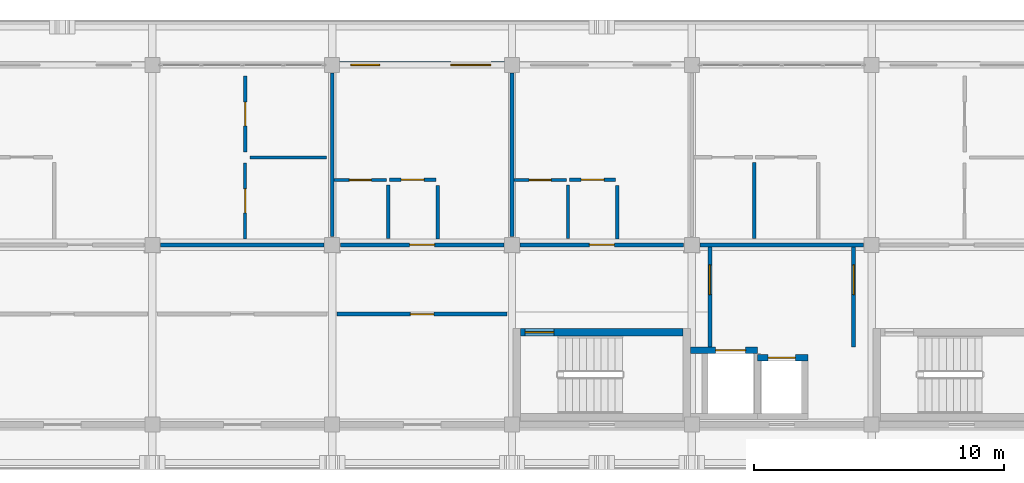
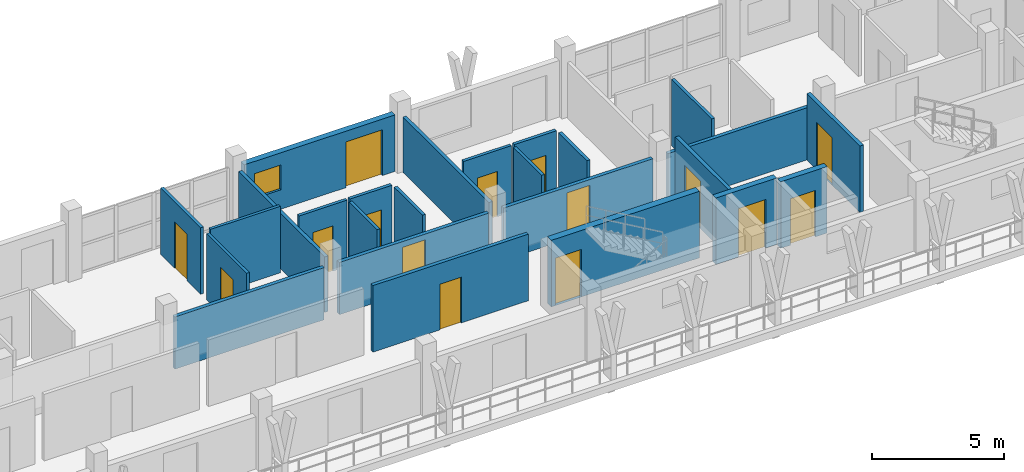
# One storey, part 36 of 60: 25 walls, 15 doors, 1 window, 16 openings.
"""IFC4 building model written with IfcOpenShell, lengths in metres."""

from ifc_helpers import new_model, si_unit, direction, frame, frame_2d, origin, place, context, subcontext, project, spatial, rectangle, extrude, material, layer, layer_set, type_object, element, fill, save


model = new_model("IFC4")

# Units and contexts
model_context = context("Model", 3, precision=1e-05, world=origin(), true_north=direction((0.0, 1.0)))
body_context = subcontext(model_context, "Body", "Model", "MODEL_VIEW")
ifc_project = project(units=[si_unit("LENGTHUNIT", "METRE"), si_unit("AREAUNIT", "SQUARE_METRE"), si_unit("VOLUMEUNIT", "CUBIC_METRE"), si_unit("PLANEANGLEUNIT", "RADIAN"), si_unit("MASSUNIT", "GRAM", prefix="KILO")], contexts=[model_context])

# Site, building, storey
site_placement = place(None, origin())
site = spatial("IfcSite", under=ifc_project, at=site_placement, CompositionType="ELEMENT")
building_placement = place(site_placement, origin())
building = spatial("IfcBuilding", under=site, at=building_placement, Name="Suanplinth Sawtooth Commons", CompositionType="ELEMENT")
storey_placement = place(building_placement, frame((0.0, 0.0, 31.5)))
storey = spatial("IfcBuildingStorey", under=building, at=storey_placement, Name="L09", CompositionType="ELEMENT", Elevation=31.5)

# Wall, opening, door
ifc_material_1 = material(Name="Concrete C40/50", Category="concrete")
ifc_layer_1 = layer(ifc_material_1, 0.300048828125, Name="Standard RC stair and lift core wall 300mm")
ifc_layer_set_1 = layer_set([ifc_layer_1], Name="Concrete C40/50")
wall_type_1 = type_object("IfcWallType", Name="W-CR02", PredefinedType="SHEAR", material=ifc_layer_set_1)
wall_1_placement = place(storey_placement, frame((43.550048828125, 111.699951171875, 0.0), z_axis=(0.0, 0.0, 1.0), x_axis=(1.0, 0.0, 0.0)))
wall_1 = element("IfcWall", 1, at=wall_1_placement, inside=storey, type_object=wall_type_1, Name="W-L09-C-A1-STN", PredefinedType="SHEAR", context=body_context, shape_type="SweptSolid", body=[
    extrude(rectangle(XDim=6.5, YDim=0.300048828125, at=frame_2d((3.25, 0.0))), origin(), (0.0, 0.0, 1.0), 3.080078125),
])
opening_1_placement = place(wall_1_placement, frame((0.179931640625, 0.0, 0.0)))
opening_1 = element("IfcOpeningElement", 2, at=opening_1_placement, cuts=wall_1, Name="Opening FD0051", PredefinedType="OPENING", context=body_context, shape_type="SweptSolid", body=[
    extrude(rectangle(XDim=1.14990234375, YDim=2.199951171875, at=frame_2d((0.574951171875, 1.10009765625))), frame((0.0, 0.1650390625, 0.0), z_axis=(0.0, -1.0, 0.0), x_axis=(1.0, 0.0, 0.0)), (0.0, 0.0, 1.0), 0.329833984375),
])
ifc_material_2 = material(Name="Teak hardwood fire-rated door assembly", Category="wood")
door_type_1 = type_object("IfcDoorType", Name="FD-01", OperationType="NOTDEFINED", PredefinedType="DOOR", material=ifc_material_2)
door_1_placement = place(opening_1_placement, frame((1.14990234375, 0.0, 0.0), z_axis=(0.0, 0.0, 1.0), x_axis=(-1.0, 0.0, 0.0)))
door_1 = element("IfcDoor", 3, at=door_1_placement, inside=storey, type_object=door_type_1, Name="Exit Stair Fire Door FD0051", OperationType="SINGLE_SWING_RIGHT", OverallHeight=2.199951171875, OverallWidth=1.14990234375, PredefinedType="DOOR", context=body_context, shape_type="SweptSolid", body=[
    extrude(rectangle(XDim=1.14990234375, YDim=2.199951171875, at=frame_2d((0.574951171875, 1.10009765625))), frame((0.0, 0.02490234375, 0.0), z_axis=(0.0, -1.0, 0.0), x_axis=(1.0, 0.0, 0.0)), (0.0, 0.0, 1.0), 0.050048828125),
])
fill(opening_1, door_1)

# Wall, openings, door, window
ifc_material_3 = material(Name="Precast concrete C40/50", Category="concrete")
ifc_layer_2 = layer(ifc_material_3, 0.260009765625, Name="Insulated precast courtyard facade wall 260mm")
ifc_layer_set_2 = layer_set([ifc_layer_2], Name="Precast concrete C40/50")
wall_type_2 = type_object("IfcWallType", Name="W-EX02", PredefinedType="ELEMENTEDWALL", material=ifc_layer_set_2)
wall_2_placement = place(storey_placement, frame((36.300048828125, 122.39990234375, 0.0), z_axis=(0.0, 0.0, 1.0), x_axis=(1.0, 0.0, 0.0)))
wall_2 = element("IfcWall", 4, at=wall_2_placement, inside=storey, type_object=wall_type_2, Name="Facade Wall W-L09-A-N-3", PredefinedType="ELEMENTEDWALL", context=body_context, shape_type="SweptSolid", body=[
    extrude(rectangle(XDim=6.599853515625, YDim=0.260009765625, at=frame_2d((3.2998046875, 0.0))), origin(), (0.0, 0.0, 1.0), 2.614990234375),
])
opening_2_placement = place(wall_2_placement, frame((4.449951171875, 0.0, 0.0)))
opening_2 = element("IfcOpeningElement", 5, at=opening_2_placement, cuts=wall_2, Name="Opening ED0693", PredefinedType="OPENING", context=body_context, shape_type="SweptSolid", body=[
    extrude(rectangle(XDim=1.60009765625, YDim=2.1201171875, at=frame_2d((0.800048828125, 1.06005859375))), frame((0.0, 0.14501953125, 0.0), z_axis=(0.0, -1.0, 0.0), x_axis=(1.0, 0.0, 0.0)), (0.0, 0.0, 1.0), 0.289794921875),
])
opening_3_placement = place(wall_2_placement, frame((0.449951171875, 0.0, 0.89990234375)))
opening_3 = element("IfcOpeningElement", 6, at=opening_3_placement, cuts=wall_2, Name="Opening W0773", PredefinedType="OPENING", context=body_context, shape_type="SweptSolid", body=[
    extrude(rectangle(XDim=1.14990234375, YDim=1.14990234375, at=frame_2d((0.574951171875, 0.574951171875))), frame((0.0, 0.14501953125, 0.0), z_axis=(0.0, -1.0, 0.0), x_axis=(1.0, 0.0, 0.0)), (0.0, 0.0, 1.0), 0.289794921875),
])
ifc_material_4 = material(Name="Anodized aluminium and low-E glass", Category="aluminium")
door_type_2 = type_object("IfcDoorType", Name="SD-02", OperationType="SLIDING_TO_RIGHT", PredefinedType="DOOR", material=ifc_material_4)
door_2_placement = place(opening_2_placement, frame((1.60009765625, 0.0, 0.0), z_axis=(0.0, 0.0, 1.0), x_axis=(-1.0, 0.0, 0.0)))
door_2 = element("IfcDoor", 7, at=door_2_placement, inside=storey, type_object=door_type_2, Name="Balcony Sliding Door L09-A-N-3", OperationType="SLIDING_TO_RIGHT", OverallHeight=2.1201171875, OverallWidth=1.60009765625, PredefinedType="DOOR", context=body_context, shape_type="SweptSolid", body=[
    extrude(rectangle(XDim=1.60009765625, YDim=2.1201171875, at=frame_2d((0.800048828125, 1.06005859375))), frame((0.0, 0.02490234375, 0.0), z_axis=(0.0, -1.0, 0.0), x_axis=(1.0, 0.0, 0.0)), (0.0, 0.0, 1.0), 0.050048828125),
])
fill(opening_2, door_2)
ifc_material_5 = material(Name="Thermally broken aluminium and low-E double glazing", Category="aluminium")
window_type = type_object("IfcWindowType", Name="WN-20", PartitioningType="SINGLE_PANEL", PredefinedType="WINDOW", material=ifc_material_5)
window_placement = place(opening_3_placement, origin())
window = element("IfcWindow", 8, at=window_placement, inside=storey, type_object=window_type, Name="Window L09-A-N-3", OverallHeight=1.14990234375, OverallWidth=1.14990234375, PartitioningType="SINGLE_PANEL", PredefinedType="WINDOW", context=body_context, shape_type="SweptSolid", body=[
    extrude(rectangle(XDim=1.14990234375, YDim=1.14990234375, at=frame_2d((0.574951171875, 0.574951171875))), frame((0.0, 0.030029296875, 0.0), z_axis=(0.0, -1.0, 0.0), x_axis=(1.0, 0.0, 0.0)), (0.0, 0.0, 1.0), 0.06005859375),
])
fill(opening_3, window)

# Wall, opening, door
ifc_layer_3 = layer(ifc_material_3, 0.159912109375, Name="Fire-rated corridor and lobby wall 160mm")
ifc_layer_set_3 = layer_set([ifc_layer_3], Name="Precast concrete C40/50")
wall_type_3 = type_object("IfcWallType", Name="W-FW01", PredefinedType="PARTITIONING", material=ifc_layer_set_3)
wall_3_placement = place(storey_placement, frame((51.1201171875, 111.10009765625, 0.0), z_axis=(0.0, 0.0, 1.0), x_axis=(0.0, 1.0, 0.0)))
wall_3 = element("IfcWall", 9, at=wall_3_placement, inside=storey, type_object=wall_type_3, Name="W-L09-C-A1-LOB-W", PredefinedType="PARTITIONING", context=body_context, shape_type="SweptSolid", body=[
    extrude(rectangle(XDim=4.02001953125, YDim=0.159912109375, at=frame_2d((2.010009765625, 0.0))), origin(), (0.0, 0.0, 1.0), 3.080078125),
])
opening_4_placement = place(wall_3_placement, frame((2.10009765625, 0.0, 0.0)))
opening_4 = element("IfcOpeningElement", 10, at=opening_4_placement, cuts=wall_3, Name="Opening FD0052", PredefinedType="OPENING", context=body_context, shape_type="SweptSolid", body=[
    extrude(rectangle(XDim=1.199951171875, YDim=2.199951171875, at=frame_2d((0.60009765625, 1.10009765625))), frame((0.0, 0.0947265625, 0.0), z_axis=(0.0, -1.0, 0.0), x_axis=(1.0, 0.0, 0.0)), (0.0, 0.0, 1.0), 0.189697265625),
])
door_type_3 = type_object("IfcDoorType", Name="FD-02", OperationType="NOTDEFINED", PredefinedType="DOOR", material=ifc_material_2)
door_3_placement = place(opening_4_placement, origin())
door_3 = element("IfcDoor", 11, at=door_3_placement, inside=storey, type_object=door_type_3, Name="Lobby Fire Door FD0052", OperationType="SINGLE_SWING_LEFT", OverallHeight=2.199951171875, OverallWidth=1.199951171875, PredefinedType="DOOR", context=body_context, shape_type="SweptSolid", body=[
    extrude(rectangle(XDim=1.199951171875, YDim=2.199951171875, at=frame_2d((0.60009765625, 1.10009765625))), frame((0.0, 0.02490234375, 0.0), z_axis=(0.0, -1.0, 0.0), x_axis=(1.0, 0.0, 0.0)), (0.0, 0.0, 1.0), 0.050048828125),
])
fill(opening_4, door_3)

wall_4_placement = place(storey_placement, frame((56.8798828125, 111.10009765625, 0.0), z_axis=(0.0, 0.0, 1.0), x_axis=(0.0, 1.0, 0.0)))
wall_4 = element("IfcWall", 12, at=wall_4_placement, inside=storey, type_object=wall_type_3, Name="W-L09-C-A1-LOB-E", PredefinedType="PARTITIONING", context=body_context, shape_type="SweptSolid", body=[
    extrude(rectangle(XDim=4.02001953125, YDim=0.159912109375, at=frame_2d((2.010009765625, 0.0))), origin(), (0.0, 0.0, 1.0), 3.080078125),
])
opening_5_placement = place(wall_4_placement, frame((2.10009765625, 0.0, 0.0)))
opening_5 = element("IfcOpeningElement", 13, at=opening_5_placement, cuts=wall_4, Name="Opening FD0053", PredefinedType="OPENING", context=body_context, shape_type="SweptSolid", body=[
    extrude(rectangle(XDim=1.199951171875, YDim=2.199951171875, at=frame_2d((0.60009765625, 1.10009765625))), frame((0.0, 0.0947265625, 0.0), z_axis=(0.0, -1.0, 0.0), x_axis=(1.0, 0.0, 0.0)), (0.0, 0.0, 1.0), 0.189697265625),
])
door_4_placement = place(opening_5_placement, frame((1.199951171875, 0.0, 0.0), z_axis=(0.0, 0.0, 1.0), x_axis=(-1.0, 0.0, 0.0)))
door_4 = element("IfcDoor", 14, at=door_4_placement, inside=storey, type_object=door_type_3, Name="Lobby Fire Door FD0053", OperationType="SINGLE_SWING_RIGHT", OverallHeight=2.199951171875, OverallWidth=1.199951171875, PredefinedType="DOOR", context=body_context, shape_type="SweptSolid", body=[
    extrude(rectangle(XDim=1.199951171875, YDim=2.199951171875, at=frame_2d((0.60009765625, 1.10009765625))), frame((0.0, 0.02490234375, 0.0), z_axis=(0.0, -1.0, 0.0), x_axis=(1.0, 0.0, 0.0)), (0.0, 0.0, 1.0), 0.050048828125),
])
fill(opening_5, door_4)

# Wall
wall_5_placement = place(storey_placement, frame((29.1298828125, 115.199951171875, 0.0), z_axis=(0.0, 0.0, 1.0), x_axis=(1.0, 0.0, 0.0)))
element("IfcWall", 15, at=wall_5_placement, inside=storey, type_object=wall_type_3, Name="W-A-L09-U01-COR-S3", PredefinedType="PARTITIONING", context=body_context, shape_type="SweptSolid", body=[
    extrude(rectangle(XDim=6.5400390625, YDim=0.159912109375, at=frame_2d((3.27001953125, 0.0))), origin(), (0.0, 0.0, 1.0), 2.4150390625),
])

# Wall, opening, door
wall_6_placement = place(storey_placement, frame((36.330078125, 115.199951171875, 0.0), z_axis=(0.0, 0.0, 1.0), x_axis=(1.0, 0.0, 0.0)))
wall_6 = element("IfcWall", 16, at=wall_6_placement, inside=storey, type_object=wall_type_3, Name="W-A-L09-U02-COR", PredefinedType="PARTITIONING", context=body_context, shape_type="SweptSolid", body=[
    extrude(rectangle(XDim=6.5400390625, YDim=0.159912109375, at=frame_2d((3.27001953125, 0.0))), origin(), (0.0, 0.0, 1.0), 2.4150390625),
])
opening_6_placement = place(wall_6_placement, frame((2.77001953125, 0.0, 0.0)))
opening_6 = element("IfcOpeningElement", 17, at=opening_6_placement, cuts=wall_6, Name="Opening FD1762", PredefinedType="OPENING", context=body_context, shape_type="SweptSolid", body=[
    extrude(rectangle(XDim=1.0, YDim=2.14990234375, at=frame_2d((0.5, 1.074951171875))), frame((0.0, 0.0947265625, 0.0), z_axis=(0.0, -1.0, 0.0), x_axis=(1.0, 0.0, 0.0)), (0.0, 0.0, 1.0), 0.189697265625),
])
door_type_4 = type_object("IfcDoorType", Name="FD-03", OperationType="NOTDEFINED", PredefinedType="DOOR", material=ifc_material_2)
door_5_placement = place(opening_6_placement, origin())
door_5 = element("IfcDoor", 18, at=door_5_placement, inside=storey, type_object=door_type_4, Name="Unit Entrance Door FD1762", OperationType="SINGLE_SWING_RIGHT", OverallHeight=2.14990234375, OverallWidth=1.0, PredefinedType="DOOR", context=body_context, shape_type="SweptSolid", body=[
    extrude(rectangle(XDim=1.0, YDim=2.14990234375, at=frame_2d((0.5, 1.074951171875))), frame((0.0, 0.02490234375, 0.0), z_axis=(0.0, -1.0, 0.0), x_axis=(1.0, 0.0, 0.0)), (0.0, 0.0, 1.0), 0.050048828125),
])
fill(opening_6, door_5)

wall_7_placement = place(storey_placement, frame((43.530029296875, 115.199951171875, 0.0), z_axis=(0.0, 0.0, 1.0), x_axis=(1.0, 0.0, 0.0)))
wall_7 = element("IfcWall", 19, at=wall_7_placement, inside=storey, type_object=wall_type_3, Name="W-A-L09-U03-COR", PredefinedType="PARTITIONING", context=body_context, shape_type="SweptSolid", body=[
    extrude(rectangle(XDim=6.5400390625, YDim=0.159912109375, at=frame_2d((3.27001953125, 0.0))), origin(), (0.0, 0.0, 1.0), 2.4150390625),
])
opening_7_placement = place(wall_7_placement, frame((2.77001953125, 0.0, 0.0)))
opening_7 = element("IfcOpeningElement", 20, at=opening_7_placement, cuts=wall_7, Name="Opening FD1765", PredefinedType="OPENING", context=body_context, shape_type="SweptSolid", body=[
    extrude(rectangle(XDim=1.0, YDim=2.14990234375, at=frame_2d((0.5, 1.074951171875))), frame((0.0, 0.0947265625, 0.0), z_axis=(0.0, -1.0, 0.0), x_axis=(1.0, 0.0, 0.0)), (0.0, 0.0, 1.0), 0.189697265625),
])
door_6_placement = place(opening_7_placement, origin())
door_6 = element("IfcDoor", 21, at=door_6_placement, inside=storey, type_object=door_type_4, Name="Unit Entrance Door FD1765", OperationType="SINGLE_SWING_LEFT", OverallHeight=2.14990234375, OverallWidth=1.0, PredefinedType="DOOR", context=body_context, shape_type="SweptSolid", body=[
    extrude(rectangle(XDim=1.0, YDim=2.14990234375, at=frame_2d((0.5, 1.074951171875))), frame((0.0, 0.02490234375, 0.0), z_axis=(0.0, -1.0, 0.0), x_axis=(1.0, 0.0, 0.0)), (0.0, 0.0, 1.0), 0.050048828125),
])
fill(opening_7, door_6)

# Wall
wall_8_placement = place(storey_placement, frame((50.72998046875, 115.199951171875, 0.0), z_axis=(0.0, 0.0, 1.0), x_axis=(1.0, 0.0, 0.0)))
element("IfcWall", 22, at=wall_8_placement, inside=storey, type_object=wall_type_3, Name="W-A-L09-U04-COR-S1", PredefinedType="PARTITIONING", context=body_context, shape_type="SweptSolid", body=[
    extrude(rectangle(XDim=6.5400390625, YDim=0.159912109375, at=frame_2d((3.27001953125, 0.0))), origin(), (0.0, 0.0, 1.0), 2.4150390625),
])

# Wall, opening, door
wall_9_placement = place(storey_placement, frame((36.199951171875, 112.419921875, 0.0), z_axis=(0.0, 0.0, 1.0), x_axis=(1.0, 0.0, 0.0)))
wall_9 = element("IfcWall", 23, at=wall_9_placement, inside=storey, type_object=wall_type_3, Name="W-A-L09-COURTROOM-11-COR", PredefinedType="PARTITIONING", context=body_context, shape_type="SweptSolid", body=[
    extrude(rectangle(XDim=6.800048828125, YDim=0.159912109375, at=frame_2d((3.39990234375, 0.0))), origin(), (0.0, 0.0, 1.0), 3.080078125),
])
opening_8_placement = place(wall_9_placement, frame((2.929931640625, 0.0, 0.0)))
opening_8 = element("IfcOpeningElement", 24, at=opening_8_placement, cuts=wall_9, Name="Opening D1788", PredefinedType="OPENING", context=body_context, shape_type="SweptSolid", body=[
    extrude(rectangle(XDim=0.93994140625, YDim=2.1201171875, at=frame_2d((0.469970703125, 1.06005859375))), frame((0.0, 0.0947265625, 0.0), z_axis=(0.0, -1.0, 0.0), x_axis=(1.0, 0.0, 0.0)), (0.0, 0.0, 1.0), 0.189697265625),
])
ifc_material_6 = material(Name="Teak hardwood", Category="wood")
door_type_5 = type_object("IfcDoorType", Name="D-15", OperationType="NOTDEFINED", PredefinedType="DOOR", material=ifc_material_6)
door_7_placement = place(opening_8_placement, frame((0.93994140625, 0.0, 0.0), z_axis=(0.0, 0.0, 1.0), x_axis=(-1.0, 0.0, 0.0)))
door_7 = element("IfcDoor", 25, at=door_7_placement, inside=storey, type_object=door_type_5, Name="Study Studio Door D1788", OperationType="SINGLE_SWING_RIGHT", OverallHeight=2.1201171875, OverallWidth=0.93994140625, PredefinedType="DOOR", context=body_context, shape_type="SweptSolid", body=[
    extrude(rectangle(XDim=0.93994140625, YDim=2.1201171875, at=frame_2d((0.469970703125, 1.06005859375))), frame((0.0, 0.02490234375, 0.0), z_axis=(0.0, -1.0, 0.0), x_axis=(1.0, 0.0, 0.0)), (0.0, 0.0, 1.0), 0.050048828125),
])
fill(opening_8, door_7)

# Walls
ifc_layer_4 = layer(ifc_material_3, 0.14990234375, Name="Acoustic precast party demising wall 150mm")
ifc_layer_set_4 = layer_set([ifc_layer_4], Name="Precast concrete C40/50")
wall_type_4 = type_object("IfcWallType", Name="W-FW02", PredefinedType="PARTITIONING", material=ifc_layer_set_4)
for number, where, z_axis, x_axis, name in (
    (26, (36.0, 115.530029296875, 0.0), (0.0, 0.0, 1.0), (0.0, 1.0, 0.0), "W-A-L09-U01-PTY"),
    (27, (43.199951171875, 115.530029296875, 0.0), (0.0, 0.0, 1.0), (0.0, 1.0, 0.0), "W-A-L09-U02-PTY"),
):
    element("IfcWall", number, at=place(storey_placement, frame(where, z_axis=z_axis, x_axis=x_axis)), inside=storey, type_object=wall_type_4, Name=name, PredefinedType="PARTITIONING", context=body_context, shape_type="SweptSolid", body=[
        extrude(rectangle(XDim=6.5400390625, YDim=0.14990234375, at=frame_2d((3.27001953125, 0.0))), origin(), (0.0, 0.0, 1.0), 2.56494140625),
    ])

# Wall, opening, door
ifc_material_7 = material(Name="Gypsum plasterboard on steel stud", Category="steel")
ifc_layer_5 = layer(ifc_material_7, 0.139892578125, Name="Fire-rated kitchen partition 140mm")
ifc_layer_set_5 = layer_set([ifc_layer_5], Name="Gypsum plasterboard on steel stud")
wall_type_5 = type_object("IfcWallType", Name="W-PT01", PredefinedType="PARTITIONING", material=ifc_layer_set_5)
wall_10_placement = place(storey_placement, frame((38.300048828125, 117.800048828125, 0.0), z_axis=(0.0, 0.0, 1.0), x_axis=(1.0, 0.0, 0.0)))
wall_10 = element("IfcWall", 28, at=wall_10_placement, inside=storey, type_object=wall_type_5, Name="W-A-L09-U02-KIT1", PredefinedType="PARTITIONING", context=body_context, shape_type="SweptSolid", body=[
    extrude(rectangle(XDim=1.849853515625, YDim=0.139892578125, at=frame_2d((0.9248046875, 0.0))), origin(), (0.0, 0.0, 1.0), 3.080078125),
])
opening_9_placement = place(wall_10_placement, frame((0.465087890625, 0.0, 0.0)))
opening_9 = element("IfcOpeningElement", 29, at=opening_9_placement, cuts=wall_10, Name="Opening D1764", PredefinedType="OPENING", context=body_context, shape_type="SweptSolid", body=[
    extrude(rectangle(XDim=0.919921875, YDim=2.10009765625, at=frame_2d((0.4599609375, 1.050048828125))), frame((0.0, 0.0849609375, 0.0), z_axis=(0.0, -1.0, 0.0), x_axis=(1.0, 0.0, 0.0)), (0.0, 0.0, 1.0), 0.169677734375),
])
door_type_6 = type_object("IfcDoorType", Name="D-02", OperationType="NOTDEFINED", PredefinedType="DOOR", material=ifc_material_6)
door_8_placement = place(opening_9_placement, frame((0.919921875, 0.0, 0.0), z_axis=(0.0, 0.0, 1.0), x_axis=(-1.0, 0.0, 0.0)))
door_8 = element("IfcDoor", 30, at=door_8_placement, inside=storey, type_object=door_type_6, Name="Kitchen Door D1764", OperationType="SINGLE_SWING_RIGHT", OverallHeight=2.10009765625, OverallWidth=0.919921875, PredefinedType="DOOR", context=body_context, shape_type="SweptSolid", body=[
    extrude(rectangle(XDim=0.919921875, YDim=2.10009765625, at=frame_2d((0.4599609375, 1.050048828125))), frame((0.0, 0.02490234375, 0.0), z_axis=(0.0, -1.0, 0.0), x_axis=(1.0, 0.0, 0.0)), (0.0, 0.0, 1.0), 0.050048828125),
])
fill(opening_9, door_8)

# Wall
wall_11_placement = place(storey_placement, frame((40.219970703125, 115.429931640625, 0.0), z_axis=(0.0, 0.0, 1.0), x_axis=(0.0, 1.0, 0.0)))
element("IfcWall", 31, at=wall_11_placement, inside=storey, type_object=wall_type_5, Name="W-A-L09-U02-KIT2", PredefinedType="PARTITIONING", context=body_context, shape_type="SweptSolid", body=[
    extrude(rectangle(XDim=2.150146484375, YDim=0.139892578125, at=frame_2d((1.0751953125, 0.0))), origin(), (0.0, 0.0, 1.0), 3.080078125),
])

# Wall, opening, door
wall_12_placement = place(storey_placement, frame((45.5, 117.800048828125, 0.0), z_axis=(0.0, 0.0, 1.0), x_axis=(1.0, 0.0, 0.0)))
wall_12 = element("IfcWall", 32, at=wall_12_placement, inside=storey, type_object=wall_type_5, Name="W-A-L09-U03-KIT1", PredefinedType="PARTITIONING", context=body_context, shape_type="SweptSolid", body=[
    extrude(rectangle(XDim=1.85009765625, YDim=0.139892578125, at=frame_2d((0.925048828125, 0.0))), origin(), (0.0, 0.0, 1.0), 3.080078125),
])
opening_10_placement = place(wall_12_placement, frame((0.465087890625, 0.0, 0.0)))
opening_10 = element("IfcOpeningElement", 33, at=opening_10_placement, cuts=wall_12, Name="Opening D1767", PredefinedType="OPENING", context=body_context, shape_type="SweptSolid", body=[
    extrude(rectangle(XDim=0.919921875, YDim=2.10009765625, at=frame_2d((0.4599609375, 1.050048828125))), frame((0.0, 0.0849609375, 0.0), z_axis=(0.0, -1.0, 0.0), x_axis=(1.0, 0.0, 0.0)), (0.0, 0.0, 1.0), 0.169677734375),
])
door_9_placement = place(opening_10_placement, frame((0.919921875, 0.0, 0.0), z_axis=(0.0, 0.0, 1.0), x_axis=(-1.0, 0.0, 0.0)))
door_9 = element("IfcDoor", 34, at=door_9_placement, inside=storey, type_object=door_type_6, Name="Kitchen Door D1767", OperationType="SINGLE_SWING_LEFT", OverallHeight=2.10009765625, OverallWidth=0.919921875, PredefinedType="DOOR", context=body_context, shape_type="SweptSolid", body=[
    extrude(rectangle(XDim=0.919921875, YDim=2.10009765625, at=frame_2d((0.4599609375, 1.050048828125))), frame((0.0, 0.02490234375, 0.0), z_axis=(0.0, -1.0, 0.0), x_axis=(1.0, 0.0, 0.0)), (0.0, 0.0, 1.0), 0.050048828125),
])
fill(opening_10, door_9)

# Wall
wall_13_placement = place(storey_placement, frame((47.419921875, 115.429931640625, 0.0), z_axis=(0.0, 0.0, 1.0), x_axis=(0.0, 1.0, 0.0)))
element("IfcWall", 35, at=wall_13_placement, inside=storey, type_object=wall_type_5, Name="W-A-L09-U03-KIT2", PredefinedType="PARTITIONING", context=body_context, shape_type="SweptSolid", body=[
    extrude(rectangle(XDim=2.150146484375, YDim=0.139892578125, at=frame_2d((1.0751953125, 0.0))), origin(), (0.0, 0.0, 1.0), 3.080078125),
])

# Wall, opening, door
ifc_layer_6 = layer(ifc_material_7, 0.1298828125, Name="Moisture-resistant bathroom partition 130mm")
ifc_layer_set_6 = layer_set([ifc_layer_6], Name="Gypsum plasterboard on steel stud")
wall_type_6 = type_object("IfcWallType", Name="W-PT02", PredefinedType="PARTITIONING", material=ifc_layer_set_6)
wall_14_placement = place(storey_placement, frame((36.080078125, 117.794921875, 0.0), z_axis=(0.0, 0.0, 1.0), x_axis=(1.0, 0.0, 0.0)))
wall_14 = element("IfcWall", 36, at=wall_14_placement, inside=storey, type_object=wall_type_6, Name="W-A-L09-U02-BTH1", PredefinedType="PARTITIONING", context=body_context, shape_type="SweptSolid", body=[
    extrude(rectangle(XDim=2.099853515625, YDim=0.1298828125, at=frame_2d((1.0498046875, 0.0))), origin(), (0.0, 0.0, 1.0), 3.080078125),
])
opening_11_placement = place(wall_14_placement, frame((0.610107421875, 0.0, 0.0)))
opening_11 = element("IfcOpeningElement", 37, at=opening_11_placement, cuts=wall_14, Name="Opening D1763", PredefinedType="OPENING", context=body_context, shape_type="SweptSolid", body=[
    extrude(rectangle(XDim=0.8798828125, YDim=2.10009765625, at=frame_2d((0.43994140625, 1.050048828125))), frame((0.0, 0.079833984375, 0.0), z_axis=(0.0, -1.0, 0.0), x_axis=(1.0, 0.0, 0.0)), (0.0, 0.0, 1.0), 0.15966796875),
])
door_type_7 = type_object("IfcDoorType", Name="D-14", OperationType="NOTDEFINED", PredefinedType="DOOR", material=ifc_material_6)
door_10_placement = place(opening_11_placement, frame((0.8798828125, 0.0, 0.0), z_axis=(0.0, 0.0, 1.0), x_axis=(-1.0, 0.0, 0.0)))
door_10 = element("IfcDoor", 38, at=door_10_placement, inside=storey, type_object=door_type_7, Name="Bathroom Door D1763", OperationType="SINGLE_SWING_LEFT", OverallHeight=2.10009765625, OverallWidth=0.8798828125, PredefinedType="DOOR", context=body_context, shape_type="SweptSolid", body=[
    extrude(rectangle(XDim=0.8798828125, YDim=2.10009765625, at=frame_2d((0.43994140625, 1.050048828125))), frame((0.0, 0.02490234375, 0.0), z_axis=(0.0, -1.0, 0.0), x_axis=(1.0, 0.0, 0.0)), (0.0, 0.0, 1.0), 0.050048828125),
])
fill(opening_11, door_10)

# Wall
wall_15_placement = place(storey_placement, frame((38.2451171875, 115.4599609375, 0.0), z_axis=(0.0, 0.0, 1.0), x_axis=(0.0, 1.0, 0.0)))
element("IfcWall", 39, at=wall_15_placement, inside=storey, type_object=wall_type_6, Name="W-A-L09-U02-BTH2", PredefinedType="PARTITIONING", context=body_context, shape_type="SweptSolid", body=[
    extrude(rectangle(XDim=2.130126953125, YDim=0.1298828125, at=frame_2d((1.06494140625, 0.0))), origin(), (0.0, 0.0, 1.0), 3.080078125),
])

# Wall, opening, door
wall_16_placement = place(storey_placement, frame((43.280029296875, 117.794921875, 0.0), z_axis=(0.0, 0.0, 1.0), x_axis=(1.0, 0.0, 0.0)))
wall_16 = element("IfcWall", 40, at=wall_16_placement, inside=storey, type_object=wall_type_6, Name="W-A-L09-U03-BTH1", PredefinedType="PARTITIONING", context=body_context, shape_type="SweptSolid", body=[
    extrude(rectangle(XDim=2.099853515625, YDim=0.1298828125, at=frame_2d((1.0498046875, 0.0))), origin(), (0.0, 0.0, 1.0), 3.080078125),
])
opening_12_placement = place(wall_16_placement, frame((0.610107421875, 0.0, 0.0)))
opening_12 = element("IfcOpeningElement", 41, at=opening_12_placement, cuts=wall_16, Name="Opening D1766", PredefinedType="OPENING", context=body_context, shape_type="SweptSolid", body=[
    extrude(rectangle(XDim=0.8798828125, YDim=2.10009765625, at=frame_2d((0.43994140625, 1.050048828125))), frame((0.0, 0.079833984375, 0.0), z_axis=(0.0, -1.0, 0.0), x_axis=(1.0, 0.0, 0.0)), (0.0, 0.0, 1.0), 0.15966796875),
])
door_11_placement = place(opening_12_placement, frame((0.8798828125, 0.0, 0.0), z_axis=(0.0, 0.0, 1.0), x_axis=(-1.0, 0.0, 0.0)))
door_11 = element("IfcDoor", 42, at=door_11_placement, inside=storey, type_object=door_type_7, Name="Bathroom Door D1766", OperationType="SINGLE_SWING_RIGHT", OverallHeight=2.10009765625, OverallWidth=0.8798828125, PredefinedType="DOOR", context=body_context, shape_type="SweptSolid", body=[
    extrude(rectangle(XDim=0.8798828125, YDim=2.10009765625, at=frame_2d((0.43994140625, 1.050048828125))), frame((0.0, 0.02490234375, 0.0), z_axis=(0.0, -1.0, 0.0), x_axis=(1.0, 0.0, 0.0)), (0.0, 0.0, 1.0), 0.050048828125),
])
fill(opening_12, door_11)

# Walls
wall_17_placement = place(storey_placement, frame((45.445068359375, 115.4599609375, 0.0), z_axis=(0.0, 0.0, 1.0), x_axis=(0.0, 1.0, 0.0)))
element("IfcWall", 43, at=wall_17_placement, inside=storey, type_object=wall_type_6, Name="W-A-L09-U03-BTH2", PredefinedType="PARTITIONING", context=body_context, shape_type="SweptSolid", body=[
    extrude(rectangle(XDim=2.130126953125, YDim=0.1298828125, at=frame_2d((1.06494140625, 0.0))), origin(), (0.0, 0.0, 1.0), 3.080078125),
])
wall_18_placement = place(storey_placement, frame((52.89501953125, 115.4599609375, 0.0), z_axis=(0.0, 0.0, 1.0), x_axis=(0.0, 1.0, 0.0)))
element("IfcWall", 44, at=wall_18_placement, inside=storey, type_object=wall_type_6, Name="W-A-L09-U04-BTH2", PredefinedType="PARTITIONING", context=body_context, shape_type="SweptSolid", body=[
    extrude(rectangle(XDim=3.0400390625, YDim=0.1298828125, at=frame_2d((1.52001953125, 0.0))), origin(), (0.0, 0.0, 1.0), 3.080078125),
])

# Wall, opening, door
ifc_layer_7 = layer(ifc_material_7, 0.1201171875, Name="Acoustic bedroom partition 120mm")
ifc_layer_set_7 = layer_set([ifc_layer_7], Name="Gypsum plasterboard on steel stud")
wall_type_7 = type_object("IfcWallType", Name="W-PT03", PredefinedType="PARTITIONING", material=ifc_layer_set_7)
wall_19_placement = place(storey_placement, frame((32.52001953125, 115.43994140625, 0.0), z_axis=(0.0, 0.0, 1.0), x_axis=(0.0, 1.0, 0.0)))
wall_19 = element("IfcWall", 45, at=wall_19_placement, inside=storey, type_object=wall_type_7, Name="W-A-L09-U01-BED2", PredefinedType="PARTITIONING", context=body_context, shape_type="SweptSolid", body=[
    extrude(rectangle(XDim=3.0400390625, YDim=0.1201171875, at=frame_2d((1.52001953125, 0.0))), origin(), (0.0, 0.0, 1.0), 3.080078125),
])
opening_13_placement = place(wall_19_placement, frame((1.0400390625, 0.0, 0.0)))
opening_13 = element("IfcOpeningElement", 46, at=opening_13_placement, cuts=wall_19, Name="Opening D1761", PredefinedType="OPENING", context=body_context, shape_type="SweptSolid", body=[
    extrude(rectangle(XDim=0.9599609375, YDim=2.14990234375, at=frame_2d((0.47998046875, 1.074951171875))), frame((0.0, 0.074951171875, 0.0), z_axis=(0.0, -1.0, 0.0), x_axis=(1.0, 0.0, 0.0)), (0.0, 0.0, 1.0), 0.14990234375),
])
door_type_8 = type_object("IfcDoorType", Name="D-13", OperationType="NOTDEFINED", PredefinedType="DOOR", material=ifc_material_6)
door_12_placement = place(opening_13_placement, frame((0.9599609375, 0.0, 0.0), z_axis=(0.0, 0.0, 1.0), x_axis=(-1.0, 0.0, 0.0)))
door_12 = element("IfcDoor", 47, at=door_12_placement, inside=storey, type_object=door_type_8, Name="Second Bedroom Door D1761", OperationType="SINGLE_SWING_LEFT", OverallHeight=2.14990234375, OverallWidth=0.9599609375, PredefinedType="DOOR", context=body_context, shape_type="SweptSolid", body=[
    extrude(rectangle(XDim=0.9599609375, YDim=2.14990234375, at=frame_2d((0.47998046875, 1.074951171875))), frame((0.0, 0.02490234375, 0.0), z_axis=(0.0, -1.0, 0.0), x_axis=(1.0, 0.0, 0.0)), (0.0, 0.0, 1.0), 0.050048828125),
])
fill(opening_13, door_12)

# Wall
ifc_layer_8 = layer(ifc_material_7, 0.125, Name="Acoustic study partition 125mm")
ifc_layer_set_8 = layer_set([ifc_layer_8], Name="Gypsum plasterboard on steel stud")
wall_type_8 = type_object("IfcWallType", Name="W-PT06", PredefinedType="PARTITIONING", material=ifc_layer_set_8)
wall_20_placement = place(storey_placement, frame((32.719970703125, 118.699951171875, 0.0), z_axis=(0.0, 0.0, 1.0), x_axis=(1.0, 0.0, 0.0)))
element("IfcWall", 48, at=wall_20_placement, inside=storey, type_object=wall_type_8, Name="W-A-L09-U01-BEDDIV", PredefinedType="PARTITIONING", context=body_context, shape_type="SweptSolid", body=[
    extrude(rectangle(XDim=3.06005859375, YDim=0.125, at=frame_2d((1.530029296875, 0.0))), origin(), (0.0, 0.0, 1.0), 3.080078125),
])

# Wall, opening, door
ifc_layer_9 = layer(ifc_material_7, 0.135009765625, Name="Insulated bedroom demising partition 135mm")
ifc_layer_set_9 = layer_set([ifc_layer_9], Name="Gypsum plasterboard on steel stud")
wall_type_9 = type_object("IfcWallType", Name="W-PT07", PredefinedType="PARTITIONING", material=ifc_layer_set_9)
wall_21_placement = place(storey_placement, frame((32.52001953125, 118.919921875, 0.0), z_axis=(0.0, 0.0, 1.0), x_axis=(0.0, 1.0, 0.0)))
wall_21 = element("IfcWall", 49, at=wall_21_placement, inside=storey, type_object=wall_type_9, Name="W-A-L09-U01-BED1", PredefinedType="PARTITIONING", context=body_context, shape_type="SweptSolid", body=[
    extrude(rectangle(XDim=3.0400390625, YDim=0.135009765625, at=frame_2d((1.52001953125, 0.0))), origin(), (0.0, 0.0, 1.0), 3.080078125),
])
opening_14_placement = place(wall_21_placement, frame((1.044921875, 0.0, 0.0)))
opening_14 = element("IfcOpeningElement", 50, at=opening_14_placement, cuts=wall_21, Name="Opening D1760", PredefinedType="OPENING", context=body_context, shape_type="SweptSolid", body=[
    extrude(rectangle(XDim=0.949951171875, YDim=2.14990234375, at=frame_2d((0.47509765625, 1.074951171875))), frame((0.0, 0.08251953125, 0.0), z_axis=(0.0, -1.0, 0.0), x_axis=(1.0, 0.0, 0.0)), (0.0, 0.0, 1.0), 0.164794921875),
])
door_type_9 = type_object("IfcDoorType", Name="D-03", OperationType="NOTDEFINED", PredefinedType="DOOR", material=ifc_material_6)
door_13_placement = place(opening_14_placement, frame((0.949951171875, 0.0, 0.0), z_axis=(0.0, 0.0, 1.0), x_axis=(-1.0, 0.0, 0.0)))
door_13 = element("IfcDoor", 51, at=door_13_placement, inside=storey, type_object=door_type_9, Name="Bedroom Door D1760", OperationType="SINGLE_SWING_RIGHT", OverallHeight=2.14990234375, OverallWidth=0.949951171875, PredefinedType="DOOR", context=body_context, shape_type="SweptSolid", body=[
    extrude(rectangle(XDim=0.949951171875, YDim=2.14990234375, at=frame_2d((0.47509765625, 1.074951171875))), frame((0.0, 0.02490234375, 0.0), z_axis=(0.0, -1.0, 0.0), x_axis=(1.0, 0.0, 0.0)), (0.0, 0.0, 1.0), 0.050048828125),
])
fill(opening_14, door_13)

ifc_layer_10 = layer(ifc_material_3, 0.25, Name="Precast structural shear wall 250mm")
ifc_layer_set_10 = layer_set([ifc_layer_10], Name="Precast concrete C40/50")
wall_type_10 = type_object("IfcWallType", Name="W-SH01", PredefinedType="SHEAR", material=ifc_layer_set_10)
wall_22_placement = place(storey_placement, frame((50.35009765625, 110.97509765625, 0.0), z_axis=(0.0, 0.0, 1.0), x_axis=(1.0, 0.0, 0.0)))
wall_22 = element("IfcWall", 52, at=wall_22_placement, inside=storey, type_object=wall_type_10, Name="W-L09-FL1-N", PredefinedType="SHEAR", context=body_context, shape_type="SweptSolid", body=[
    extrude(rectangle(XDim=2.6748046875, YDim=0.25, at=frame_2d((1.33740234375, 0.0))), origin(), (0.0, 0.0, 1.0), 3.080078125),
])
opening_15_placement = place(wall_22_placement, frame((1.0, 0.0, 0.0)))
opening_15 = element("IfcOpeningElement", 53, at=opening_15_placement, cuts=wall_22, Name="Opening LD0054", PredefinedType="OPENING", context=body_context, shape_type="SweptSolid", body=[
    extrude(rectangle(XDim=1.199951171875, YDim=2.25, at=frame_2d((0.60009765625, 1.125))), frame((0.0, 0.139892578125, 0.0), z_axis=(0.0, -1.0, 0.0), x_axis=(1.0, 0.0, 0.0)), (0.0, 0.0, 1.0), 0.27978515625),
])
ifc_material_8 = material(Name="Stainless steel Grade 304", Category="steel")
door_type_10 = type_object("IfcDoorType", Name="LD-02", OperationType="SLIDING_TO_LEFT", PredefinedType="DOOR", material=ifc_material_8)
door_14_placement = place(opening_15_placement, origin())
door_14 = element("IfcDoor", 54, at=door_14_placement, inside=storey, type_object=door_type_10, Name="Lift Landing Sliding Door FL1 L09", OperationType="SLIDING_TO_LEFT", OverallHeight=2.25, OverallWidth=1.199951171875, PredefinedType="DOOR", context=body_context, shape_type="SweptSolid", body=[
    extrude(rectangle(XDim=1.199951171875, YDim=2.25, at=frame_2d((0.60009765625, 1.125))), frame((0.0, 0.02490234375, 0.0), z_axis=(0.0, -1.0, 0.0), x_axis=(1.0, 0.0, 0.0)), (0.0, 0.0, 1.0), 0.050048828125),
])
fill(opening_15, door_14)

wall_23_placement = place(storey_placement, frame((53.02490234375, 110.675048828125, 0.0), z_axis=(0.0, 0.0, 1.0), x_axis=(1.0, 0.0, 0.0)))
wall_23 = element("IfcWall", 55, at=wall_23_placement, inside=storey, type_object=wall_type_10, Name="W-L09-LF1-N", PredefinedType="SHEAR", context=body_context, shape_type="SweptSolid", body=[
    extrude(rectangle(XDim=2.025146484375, YDim=0.25, at=frame_2d((1.0126953125, 0.0))), origin(), (0.0, 0.0, 1.0), 3.080078125),
])
opening_16_placement = place(wall_23_placement, frame((0.425048828125, 0.0, 0.0)))
opening_16 = element("IfcOpeningElement", 56, at=opening_16_placement, cuts=wall_23, Name="Opening LD0055", PredefinedType="OPENING", context=body_context, shape_type="SweptSolid", body=[
    extrude(rectangle(XDim=1.10009765625, YDim=2.14990234375, at=frame_2d((0.550048828125, 1.074951171875))), frame((0.0, 0.139892578125, 0.0), z_axis=(0.0, -1.0, 0.0), x_axis=(1.0, 0.0, 0.0)), (0.0, 0.0, 1.0), 0.27978515625),
])
door_type_11 = type_object("IfcDoorType", Name="LD-01", OperationType="SLIDING_TO_LEFT", PredefinedType="DOOR", material=ifc_material_8)
door_15_placement = place(opening_16_placement, origin())
door_15 = element("IfcDoor", 57, at=door_15_placement, inside=storey, type_object=door_type_11, Name="Lift Landing Sliding Door LF1 L09", OperationType="SLIDING_TO_LEFT", OverallHeight=2.14990234375, OverallWidth=1.10009765625, PredefinedType="DOOR", context=body_context, shape_type="SweptSolid", body=[
    extrude(rectangle(XDim=1.10009765625, YDim=2.14990234375, at=frame_2d((0.550048828125, 1.074951171875))), frame((0.0, 0.02490234375, 0.0), z_axis=(0.0, -1.0, 0.0), x_axis=(1.0, 0.0, 0.0)), (0.0, 0.0, 1.0), 0.050048828125),
])
fill(opening_16, door_15)

save(model, "model.ifc")
